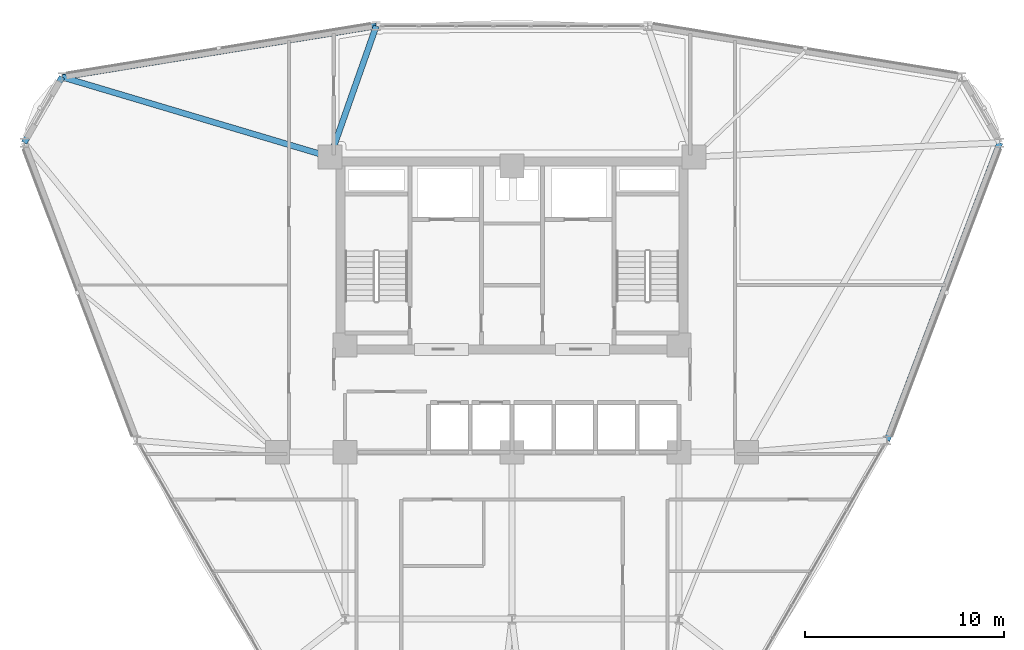
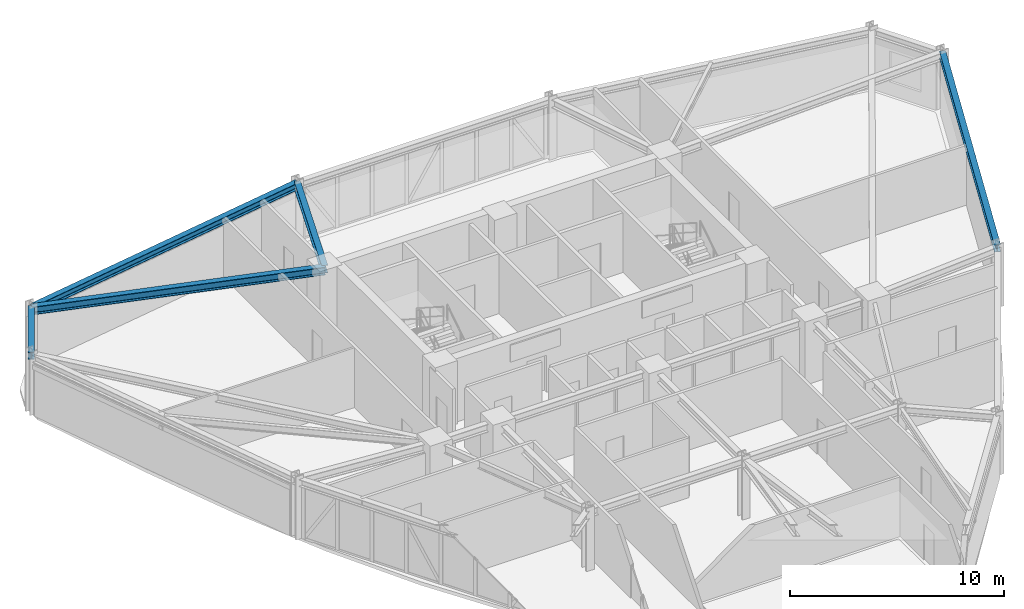
# One storey, part 7 of 17: 5 beams.
"""IFC4 building model written with IfcOpenShell, lengths in metres."""

from ifc_helpers import new_model, si_unit, derived_unit, direction, frame, origin, origin_2d, place, context, subcontext, project, spatial, i_section, extrude, source, transform, mapped, material, material_profile, profile_set, type_object, element, save


model = new_model("IFC4")

# Units and contexts
model_context = context("Model", 3, precision=1e-05, world=origin(), true_north=direction((0.0, 1.0)))
body_context = subcontext(model_context, "Body", "Model", "MODEL_VIEW")
ifc_project = project(units=[si_unit("LENGTHUNIT", "METRE"), si_unit("AREAUNIT", "SQUARE_METRE"), si_unit("VOLUMEUNIT", "CUBIC_METRE"), si_unit("PLANEANGLEUNIT", "RADIAN"), si_unit("MASSUNIT", "GRAM", prefix="KILO"), derived_unit("THERMALTRANSMITTANCEUNIT", [(si_unit("POWERUNIT", "WATT"), 1), (si_unit("LENGTHUNIT", "METRE"), -2), (si_unit("THERMODYNAMICTEMPERATUREUNIT", "KELVIN"), -1)])], contexts=[model_context])

# Site, building, storey
site_placement = place(None, origin())
site = spatial("IfcSite", under=ifc_project, at=site_placement, CompositionType="ELEMENT")
building_placement = place(site_placement, origin())
building = spatial("IfcBuilding", under=site, at=building_placement, Name="Korsvarv Bourse and Concert Hall", CompositionType="ELEMENT")
storey_placement = place(building_placement, frame((0.0, 0.0, 124.199951171875)))
storey = spatial("IfcBuildingStorey", under=building, at=storey_placement, Name="L31", CompositionType="ELEMENT", Elevation=124.199951171875)

# Beams
ifc_material = material(Name="Steel S355", Category="steel")
ifc_material_profile_1 = material_profile(ifc_material, i_section(OverallWidth=0.300048828125, OverallDepth=0.39990234375, WebThickness=0.013427734375, FlangeThickness=0.02392578125, FilletRadius=0.02099609375, at=origin_2d()), Name="HEB 400")
ifc_profile_set_1 = profile_set([ifc_material_profile_1], Name="Steel S355")
beam_type_1 = type_object("IfcBeamType", Name="BM-HEB400", PredefinedType="SPANDREL", material=ifc_profile_set_1)
shared_shape_1 = source(origin(), body_context, "Body", "SweptSolid", [
    extrude(i_section(OverallWidth=0.300048828125, OverallDepth=0.39990234375, WebThickness=0.013427734375, FlangeThickness=0.02392578125, FilletRadius=0.02099609375, at=origin_2d()), origin(), (0.0, 0.0, 1.0), 3.81591796875),
])
beam_1_placement = place(storey_placement, frame((13.3662109375, 51.270751953125, 3.199951171875), z_axis=(-0.499999364504, -0.866025770688, 0.0), x_axis=(0.866025770688, -0.499999364504, 0.0)))
element("IfcBeam", 1, at=beam_1_placement, inside=storey, type_object=beam_type_1, Name="L31 beam B-09", PredefinedType="SPANDREL", context=body_context, shape_type="MappedRepresentation", body=[
    mapped(shared_shape_1, transform((0.0, 0.0, 0.0), scale=1.0)),
])
shared_shape_2 = source(origin(), body_context, "Body", "SweptSolid", [
    extrude(i_section(OverallWidth=0.300048828125, OverallDepth=0.39990234375, WebThickness=0.013427734375, FlangeThickness=0.02392578125, FilletRadius=0.02099609375, at=origin_2d()), origin(), (0.0, 0.0, 1.0), 16.014892578125),
])
beam_2_placement = place(storey_placement, frame((29.17333984375, 53.84130859375, 3.199951171875), z_axis=(-0.98703396265, -0.160511546547, 0.0), x_axis=(0.160511546547, -0.98703396265, 0.0)))
element("IfcBeam", 2, at=beam_2_placement, inside=storey, type_object=beam_type_1, Name="L31 beam B-09", PredefinedType="SPANDREL", context=body_context, shape_type="MappedRepresentation", body=[
    mapped(shared_shape_2, transform((0.0, 0.0, 0.0), scale=1.0)),
])
shared_shape_3 = source(origin(), body_context, "Body", "SweptSolid", [
    extrude(i_section(OverallWidth=0.300048828125, OverallDepth=0.39990234375, WebThickness=0.013427734375, FlangeThickness=0.02392578125, FilletRadius=0.02099609375, at=origin_2d()), origin(), (0.0, 0.0, 1.0), 16.0146484375),
])
beam_3_placement = place(storey_placement, frame((54.8642578125, 32.991455078125, 3.199951171875), z_axis=(0.354515902653, 0.93504998517, 0.0), x_axis=(-0.93504998517, 0.354515902653, 0.0)))
element("IfcBeam", 3, at=beam_3_placement, inside=storey, type_object=beam_type_1, Name="L31 beam B-09", PredefinedType="SPANDREL", context=body_context, shape_type="MappedRepresentation", body=[
    mapped(shared_shape_3, transform((0.0, 0.0, 0.0), scale=1.0)),
])
ifc_material_profile_2 = material_profile(ifc_material, i_section(OverallWidth=0.300048828125, OverallDepth=0.449951171875, WebThickness=0.013916015625, FlangeThickness=0.02587890625, FilletRadius=0.02099609375, at=origin_2d()), Name="HEB 450")
ifc_profile_set_2 = profile_set([ifc_material_profile_2], Name="Steel S355")
beam_type_2 = type_object("IfcBeamType", Name="BM-HEB450", PredefinedType="SPANDREL", material=ifc_profile_set_2)
shared_shape_4 = source(origin(), body_context, "Body", "SweptSolid", [
    extrude(i_section(OverallWidth=0.300048828125, OverallDepth=0.449951171875, WebThickness=0.013916015625, FlangeThickness=0.02587890625, FilletRadius=0.02099609375, at=origin_2d()), origin(), (0.0, 0.0, 1.0), 6.98876953125),
])
beam_4_placement = place(storey_placement, frame((29.17333984375, 53.84130859375, 3.175048828125), z_axis=(-0.332425395901, -0.943129554282, 0.0), x_axis=(0.943129554282, -0.332425395901, 0.0)))
element("IfcBeam", 4, at=beam_4_placement, inside=storey, type_object=beam_type_2, Name="L31 beam B-08", PredefinedType="SPANDREL", context=body_context, shape_type="MappedRepresentation", body=[
    mapped(shared_shape_4, transform((0.0, 0.0, 0.0), scale=1.0)),
])
shared_shape_5 = source(origin(), body_context, "Body", "SweptSolid", [
    extrude(i_section(OverallWidth=0.300048828125, OverallDepth=0.449951171875, WebThickness=0.013916015625, FlangeThickness=0.02587890625, FilletRadius=0.02099609375, at=origin_2d()), origin(), (0.0, 0.0, 1.0), 14.070556640625),
])
beam_5_placement = place(storey_placement, frame((13.3662109375, 51.270751953125, 3.175048828125), z_axis=(0.958302516287, -0.285755642599, 0.0), x_axis=(0.285755642599, 0.958302516287, 0.0)))
element("IfcBeam", 5, at=beam_5_placement, inside=storey, type_object=beam_type_2, Name="L31 beam B-08", PredefinedType="SPANDREL", context=body_context, shape_type="MappedRepresentation", body=[
    mapped(shared_shape_5, transform((0.0, 0.0, 0.0), scale=1.0)),
])

save(model, "model.ifc")
